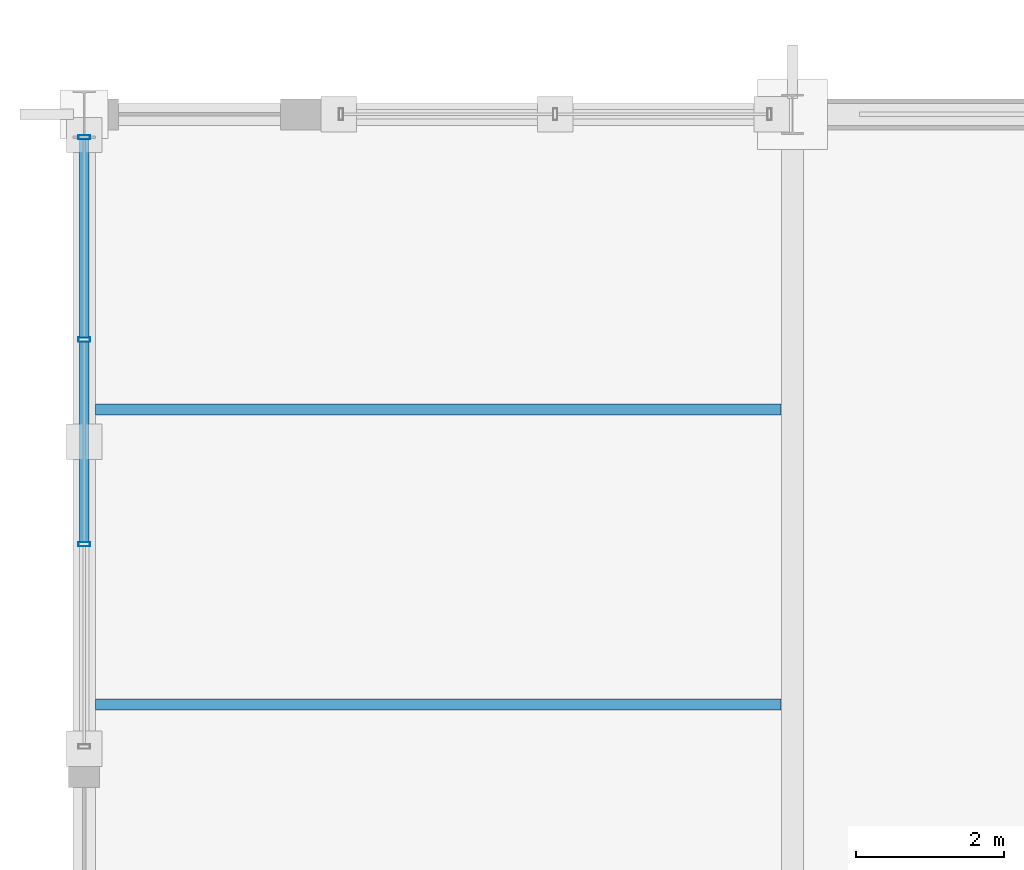
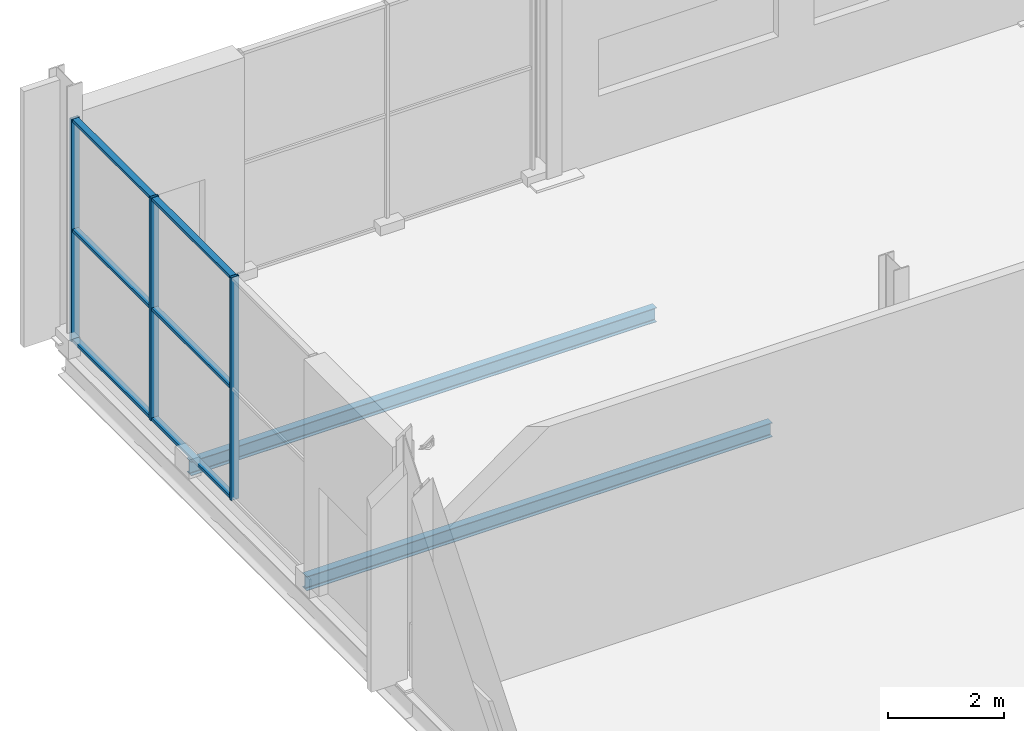
# One storey, part 104 of 196: 9 members, 2 beams, 1 element without a shape of its own.
"""IFC4 building model written with IfcOpenShell, lengths in metres."""

from ifc_helpers import new_model, si_unit, direction, frame, origin, origin_2d, place, context, subcontext, project, spatial, hollow_rectangle, i_section, extrude, material, material_profile, profile_set, type_object, element, aggregate, save


model = new_model("IFC4")

# Units and contexts
model_context = context("Model", 3, precision=1e-05, world=origin(), true_north=direction((0.0, 1.0)))
body_context = subcontext(model_context, "Body", "Model", "MODEL_VIEW")
ifc_project = project(units=[si_unit("LENGTHUNIT", "METRE"), si_unit("AREAUNIT", "SQUARE_METRE"), si_unit("VOLUMEUNIT", "CUBIC_METRE"), si_unit("PLANEANGLEUNIT", "RADIAN"), si_unit("MASSUNIT", "GRAM", prefix="KILO")], contexts=[model_context])

# Site, building, storey
site_placement = place(None, origin())
site = spatial("IfcSite", under=ifc_project, at=site_placement, CompositionType="ELEMENT")
building_placement = place(site_placement, origin())
building = spatial("IfcBuilding", under=site, at=building_placement, Name="Merenkruunu Market Hall", CompositionType="ELEMENT")
storey_placement = place(building_placement, origin())
storey = spatial("IfcBuildingStorey", under=building, at=storey_placement, Name="L00", CompositionType="ELEMENT", Elevation=0.0)

# Curtain wall, members
ifc_material_1 = material(Name="Powder-coated aluminium", Category="aluminium")
curtain_wall_type = type_object("IfcCurtainWallType", Name="Glazed Curtain Wall CW06", PredefinedType="USERDEFINED", material=ifc_material_1)
curtain_wall_placement = place(storey_placement, origin())
curtain_wall = element("IfcCurtainWall", 1, at=curtain_wall_placement, inside=storey, type_object=curtain_wall_type, Name="CW-L00-CWM01-016", ObjectType="GLAZED_FACADE", PredefinedType="USERDEFINED")
ifc_material_profile_1 = material_profile(ifc_material_1, hollow_rectangle(XDim=0.06005859375, YDim=0.159912109375, WallThickness=0.00390625, at=origin_2d()), Name="ALU 60x160x4")
ifc_profile_set_1 = profile_set([ifc_material_profile_1], Name="Powder-coated aluminium")
member_type_1 = type_object("IfcMemberType", Name="Curtain Wall Mullion CWM01", PredefinedType="MULLION", material=ifc_profile_set_1)
member_1_placement = place(storey_placement, frame((0.0, 105.7734375, 0.0), z_axis=(0.0, 0.0, 1.0), x_axis=(0.0, 1.0, 0.0)))
member_1 = element("IfcMember", 2, at=member_1_placement, type_object=member_type_1, Name="CW06 mullion 2", PredefinedType="MULLION", context=body_context, shape_type="SweptSolid", body=[
    extrude(hollow_rectangle(XDim=0.06005859375, YDim=0.159912109375, WallThickness=0.00390625, at=origin_2d()), origin(), (0.0, 0.0, 1.0), 4.699951171875),
])
member_2_placement = place(storey_placement, frame((0.0, 108.546630859375, 0.0), z_axis=(0.0, 0.0, 1.0), x_axis=(0.0, 1.0, 0.0)))
member_2 = element("IfcMember", 3, at=member_2_placement, type_object=member_type_1, Name="CW06 mullion 3", PredefinedType="MULLION", context=body_context, shape_type="SweptSolid", body=[
    extrude(hollow_rectangle(XDim=0.06005859375, YDim=0.159912109375, WallThickness=0.00390625, at=origin_2d()), origin(), (0.0, 0.0, 1.0), 4.699951171875),
])
member_3_placement = place(storey_placement, frame((0.0, 111.2900390625, 0.0), z_axis=(0.0, 0.0, 1.0), x_axis=(0.0, 1.0, 0.0)))
member_3 = element("IfcMember", 4, at=member_3_placement, type_object=member_type_1, Name="CW06 mullion 4", PredefinedType="MULLION", context=body_context, shape_type="SweptSolid", body=[
    extrude(hollow_rectangle(XDim=0.06005859375, YDim=0.159912109375, WallThickness=0.00390625, at=origin_2d()), origin(), (0.0, 0.0, 1.0), 4.699951171875),
])
ifc_material_profile_2 = material_profile(ifc_material_1, hollow_rectangle(XDim=0.06005859375, YDim=0.125, WallThickness=0.00390625, at=origin_2d()), Name="ALU 60x125x4")
ifc_profile_set_2 = profile_set([ifc_material_profile_2], Name="Powder-coated aluminium")
member_type_2 = type_object("IfcMemberType", Name="Curtain Wall Transom CWT01", PredefinedType="USERDEFINED", material=ifc_profile_set_2)
member_4_placement = place(storey_placement, frame((0.0, 105.80322265625, 0.030029296875), z_axis=(0.0, 1.0, 0.0), x_axis=(0.0, 0.0, 1.0)))
member_4 = element("IfcMember", 5, at=member_4_placement, type_object=member_type_2, Name="CW06 transom 2.1", ObjectType="TRANSOM", PredefinedType="USERDEFINED", context=body_context, shape_type="SweptSolid", body=[
    extrude(hollow_rectangle(XDim=0.06005859375, YDim=0.125, WallThickness=0.00390625, at=origin_2d()), origin(), (0.0, 0.0, 1.0), 2.71337890625),
])
member_5_placement = place(storey_placement, frame((0.0, 105.80322265625, 2.35009765625), z_axis=(0.0, 1.0, 0.0), x_axis=(0.0, 0.0, 1.0)))
member_5 = element("IfcMember", 6, at=member_5_placement, type_object=member_type_2, Name="CW06 transom 2.2", ObjectType="TRANSOM", PredefinedType="USERDEFINED", context=body_context, shape_type="SweptSolid", body=[
    extrude(hollow_rectangle(XDim=0.06005859375, YDim=0.125, WallThickness=0.00390625, at=origin_2d()), origin(), (0.0, 0.0, 1.0), 2.71337890625),
])
member_6_placement = place(storey_placement, frame((0.0, 105.80322265625, 4.669921875), z_axis=(0.0, 1.0, 0.0), x_axis=(0.0, 0.0, 1.0)))
member_6 = element("IfcMember", 7, at=member_6_placement, type_object=member_type_2, Name="CW06 transom 2.3", ObjectType="TRANSOM", PredefinedType="USERDEFINED", context=body_context, shape_type="SweptSolid", body=[
    extrude(hollow_rectangle(XDim=0.06005859375, YDim=0.125, WallThickness=0.00390625, at=origin_2d()), origin(), (0.0, 0.0, 1.0), 2.71337890625),
])
member_7_placement = place(storey_placement, frame((0.0, 108.57666015625, 0.030029296875), z_axis=(0.0, 1.0, 0.0), x_axis=(0.0, 0.0, 1.0)))
member_7 = element("IfcMember", 8, at=member_7_placement, type_object=member_type_2, Name="CW06 transom 3.1", ObjectType="TRANSOM", PredefinedType="USERDEFINED", context=body_context, shape_type="SweptSolid", body=[
    extrude(hollow_rectangle(XDim=0.06005859375, YDim=0.125, WallThickness=0.00390625, at=origin_2d()), origin(), (0.0, 0.0, 1.0), 2.683349609375),
])
member_8_placement = place(storey_placement, frame((0.0, 108.57666015625, 2.35009765625), z_axis=(0.0, 1.0, 0.0), x_axis=(0.0, 0.0, 1.0)))
member_8 = element("IfcMember", 9, at=member_8_placement, type_object=member_type_2, Name="CW06 transom 3.2", ObjectType="TRANSOM", PredefinedType="USERDEFINED", context=body_context, shape_type="SweptSolid", body=[
    extrude(hollow_rectangle(XDim=0.06005859375, YDim=0.125, WallThickness=0.00390625, at=origin_2d()), origin(), (0.0, 0.0, 1.0), 2.683349609375),
])
member_9_placement = place(storey_placement, frame((0.0, 108.57666015625, 4.669921875), z_axis=(0.0, 1.0, 0.0), x_axis=(0.0, 0.0, 1.0)))
member_9 = element("IfcMember", 10, at=member_9_placement, type_object=member_type_2, Name="CW06 transom 3.3", ObjectType="TRANSOM", PredefinedType="USERDEFINED", context=body_context, shape_type="SweptSolid", body=[
    extrude(hollow_rectangle(XDim=0.06005859375, YDim=0.125, WallThickness=0.00390625, at=origin_2d()), origin(), (0.0, 0.0, 1.0), 2.683349609375),
])
aggregate(curtain_wall, [member_1, member_2, member_3, member_4, member_5, member_6, member_7, member_8, member_9])

# Beams
ifc_material_2 = material(Name="Steel S355J2", Category="steel")
ifc_material_profile_3 = material_profile(ifc_material_2, i_section(OverallWidth=0.14990234375, OverallDepth=0.300048828125, WebThickness=0.007080078125, FlangeThickness=0.0107421875, FilletRadius=0.014892578125, at=origin_2d()), Name="IPE 300")
ifc_profile_set_3 = profile_set([ifc_material_profile_3], Name="Steel S355J2")
beam_type = type_object("IfcBeamType", Name="Secondary Floor Joist J04", PredefinedType="JOIST", material=ifc_profile_set_3)
for number, where, z_axis, x_axis, name in (
    (11, (0.153076171875, 103.60009765625, -0.489990234375), (1.0, 0.0, 0.0), (0.0, 1.0, 0.0), "BM-L00-J04-0288"),
    (12, (0.153076171875, 107.60009765625, -0.489990234375), (1.0, 0.0, 0.0), (0.0, 1.0, 0.0), "BM-L00-J04-0289"),
):
    element("IfcBeam", number, at=place(storey_placement, frame(where, z_axis=z_axis, x_axis=x_axis)), inside=storey, type_object=beam_type, Name=name, PredefinedType="JOIST", context=body_context, shape_type="SweptSolid", body=[
        extrude(i_section(OverallWidth=0.14990234375, OverallDepth=0.300048828125, WebThickness=0.007080078125, FlangeThickness=0.0107421875, FilletRadius=0.014892578125, at=origin_2d()), origin(), (0.0, 0.0, 1.0), 9.2939453125),
    ])

save(model, "model.ifc")
